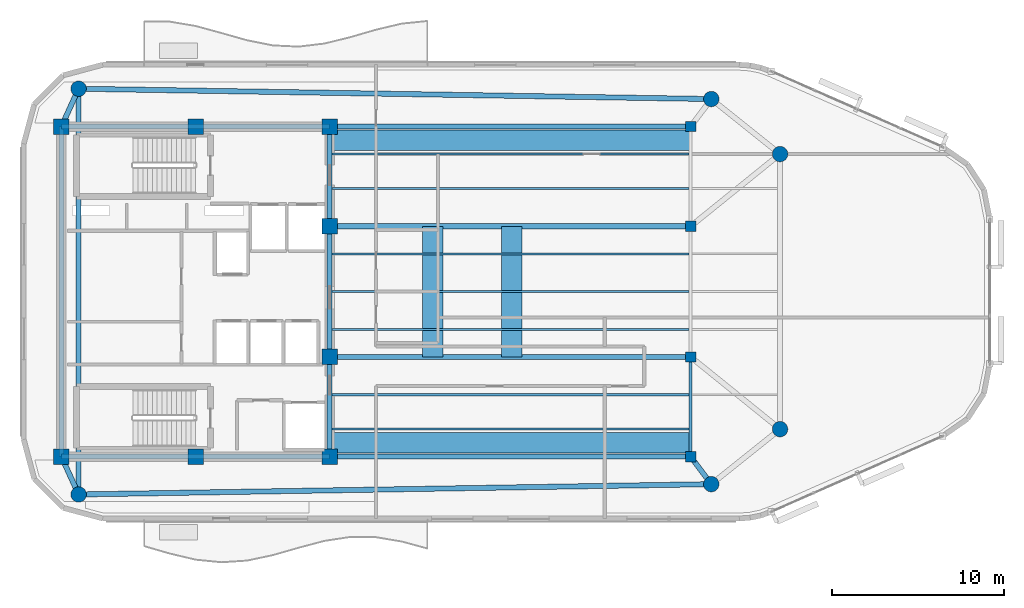
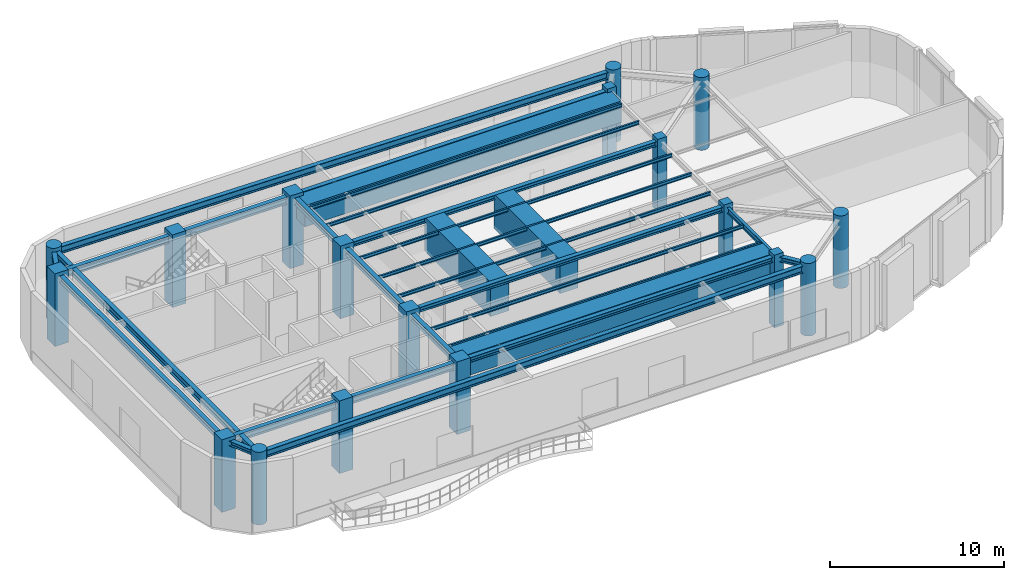
# One storey, part 1 of 12: 28 beams, 18 columns.
"""IFC4 building model written with IfcOpenShell, lengths in metres."""

from ifc_helpers import new_model, si_unit, direction, frame, origin, origin_2d, place, context, subcontext, project, spatial, rectangle, circle, i_section, extrude, material, material_profile, profile_set, type_object, element, save


model = new_model("IFC4")

# Units and contexts
model_context = context("Model", 3, precision=1e-05, world=origin(), true_north=direction((0.0, 1.0)))
body_context = subcontext(model_context, "Body", "Model", "MODEL_VIEW")
ifc_project = project(units=[si_unit("LENGTHUNIT", "METRE"), si_unit("AREAUNIT", "SQUARE_METRE"), si_unit("VOLUMEUNIT", "CUBIC_METRE"), si_unit("PLANEANGLEUNIT", "RADIAN"), si_unit("MASSUNIT", "GRAM", prefix="KILO")], contexts=[model_context])

# Site, building, storey
site_placement = place(None, origin())
site = spatial("IfcSite", under=ifc_project, at=site_placement, CompositionType="ELEMENT")
building_placement = place(site_placement, origin())
building = spatial("IfcBuilding", under=site, at=building_placement, Name="An Khanh Terracotta Commons", CompositionType="ELEMENT")
storey_placement = place(building_placement, frame((0.0, 0.0, 295.300048828125)))
storey = spatial("IfcBuildingStorey", under=building, at=storey_placement, Name="L77", CompositionType="ELEMENT", Elevation=295.300048828125)

# Columns
ifc_material_1 = material(Name="Concrete C50/60", Category="concrete")
ifc_material_profile_1 = material_profile(ifc_material_1, circle(Radius=0.449951171875, at=origin_2d()), Name="CFST900")
ifc_profile_set_1 = profile_set([ifc_material_profile_1], Name="Concrete C50/60")
column_type_1 = type_object("IfcColumnType", Name="COL-CFST900", PredefinedType="COLUMN", material=ifc_profile_set_1)
for number, where, z_axis, x_axis, name in (
    (1, (22.60009765625, 12.199951171875, 0.0), (0.0, 0.0, 1.0), (1.0, 0.0, 0.0), "L77 Perimeter CFST Mega-Column MC-01"),
    (2, (59.39990234375, 12.800048828125, 0.0), (0.0, 0.0, 1.0), (1.0, 0.0, 0.0), "L77 Perimeter CFST Mega-Column MC-02"),
    (3, (63.39990234375, 16.0, 0.0), (0.0, 0.0, 1.0), (1.0, 0.0, 0.0), "L77 Perimeter CFST Mega-Column MC-03"),
    (4, (63.39990234375, 32.0, 0.0), (0.0, 0.0, 1.0), (1.0, 0.0, 0.0), "L77 Perimeter CFST Mega-Column MC-04"),
    (5, (59.39990234375, 35.199951171875, 0.0), (0.0, 0.0, 1.0), (1.0, 0.0, 0.0), "L77 Perimeter CFST Mega-Column MC-05"),
    (6, (22.60009765625, 35.800048828125, 0.0), (0.0, 0.0, 1.0), (1.0, 0.0, 0.0), "L77 Perimeter CFST Mega-Column MC-06"),
):
    element("IfcColumn", number, at=place(storey_placement, frame(where, z_axis=z_axis, x_axis=x_axis)), inside=storey, type_object=column_type_1, Name=name, PredefinedType="COLUMN", context=body_context, shape_type="SweptSolid", body=[
        extrude(circle(Radius=0.449951171875, at=origin_2d()), origin(), (0.0, 0.0, 1.0), 5.099853515625),
    ])
ifc_material_profile_2 = material_profile(ifc_material_1, rectangle(XDim=0.60009765625, YDim=0.60009765625, at=origin_2d()), Name="RC600x600")
ifc_profile_set_2 = profile_set([ifc_material_profile_2], Name="Concrete C50/60")
column_type_2 = type_object("IfcColumnType", Name="COL-RC600x600", PredefinedType="COLUMN", material=ifc_profile_set_2)
for number, where, z_axis, x_axis, name in (
    (7, (58.199951171875, 14.39990234375, 0.0), (0.0, 0.0, 1.0), (1.0, 0.0, 0.0), "L77 Interior Frame Column TC-01"),
    (8, (58.199951171875, 20.199951171875, 0.0), (0.0, 0.0, 1.0), (1.0, 0.0, 0.0), "L77 Interior Frame Column TC-02"),
    (9, (58.199951171875, 27.800048828125, 0.0), (0.0, 0.0, 1.0), (1.0, 0.0, 0.0), "L77 Interior Frame Column TC-03"),
    (10, (58.199951171875, 33.60009765625, 0.0), (0.0, 0.0, 1.0), (1.0, 0.0, 0.0), "L77 Interior Frame Column TC-04"),
):
    element("IfcColumn", number, at=place(storey_placement, frame(where, z_axis=z_axis, x_axis=x_axis)), inside=storey, type_object=column_type_2, Name=name, PredefinedType="COLUMN", context=body_context, shape_type="SweptSolid", body=[
        extrude(rectangle(XDim=0.60009765625, YDim=0.60009765625, at=origin_2d()), origin(), (0.0, 0.0, 1.0), 5.099853515625),
    ])
ifc_material_profile_3 = material_profile(ifc_material_1, rectangle(XDim=0.89990234375, YDim=0.89990234375, at=origin_2d()), Name="RC900x900")
ifc_profile_set_3 = profile_set([ifc_material_profile_3], Name="Concrete C50/60")
column_type_3 = type_object("IfcColumnType", Name="COL-RC900x900", PredefinedType="COLUMN", material=ifc_profile_set_3)
for number, where, z_axis, x_axis, name in (
    (11, (21.60009765625, 14.39990234375, 0.0), (0.0, 0.0, 1.0), (1.0, 0.0, 0.0), "L77 Core Boundary Column CC-01"),
    (12, (29.39990234375, 14.39990234375, 0.0), (0.0, 0.0, 1.0), (1.0, 0.0, 0.0), "L77 Core Boundary Column CC-02"),
    (13, (37.199951171875, 14.39990234375, 0.0), (0.0, 0.0, 1.0), (1.0, 0.0, 0.0), "L77 Core Boundary Column CC-03"),
    (14, (37.199951171875, 20.199951171875, 0.0), (0.0, 0.0, 1.0), (1.0, 0.0, 0.0), "L77 Core Boundary Column CC-04"),
    (15, (37.199951171875, 27.800048828125, 0.0), (0.0, 0.0, 1.0), (1.0, 0.0, 0.0), "L77 Core Boundary Column CC-05"),
    (16, (37.199951171875, 33.60009765625, 0.0), (0.0, 0.0, 1.0), (1.0, 0.0, 0.0), "L77 Core Boundary Column CC-06"),
    (17, (29.39990234375, 33.60009765625, 0.0), (0.0, 0.0, 1.0), (1.0, 0.0, 0.0), "L77 Core Boundary Column CC-07"),
    (18, (21.60009765625, 33.60009765625, 0.0), (0.0, 0.0, 1.0), (1.0, 0.0, 0.0), "L77 Core Boundary Column CC-08"),
):
    element("IfcColumn", number, at=place(storey_placement, frame(where, z_axis=z_axis, x_axis=x_axis)), inside=storey, type_object=column_type_3, Name=name, PredefinedType="COLUMN", context=body_context, shape_type="SweptSolid", body=[
        extrude(rectangle(XDim=0.89990234375, YDim=0.89990234375, at=origin_2d()), origin(), (0.0, 0.0, 1.0), 5.099853515625),
    ])

# Beams
ifc_material_2 = material(Name="Steel S355J2", Category="steel")
ifc_material_profile_4 = material_profile(ifc_material_2, i_section(OverallWidth=0.300048828125, OverallDepth=0.340087890625, WebThickness=0.011962890625, FlangeThickness=0.021484375, FilletRadius=0.027099609375, at=origin_2d()), Name="HEB340")
ifc_profile_set_4 = profile_set([ifc_material_profile_4], Name="Steel S355J2")
beam_type_1 = type_object("IfcBeamType", Name="BM-HEB340", PredefinedType="BEAM", material=ifc_profile_set_4)
for number, where, z_axis, x_axis, name in (
    (19, (37.199951171875, 14.39990234375, 4.679931640625), (1.0, 0.0, 0.0), (0.0, 1.0, 0.0), "L77 East Primary Floor Girder 1"),
    (20, (37.199951171875, 20.199951171875, 4.679931640625), (1.0, 0.0, 0.0), (0.0, 1.0, 0.0), "L77 East Primary Floor Girder 2"),
    (21, (37.199951171875, 27.800048828125, 4.679931640625), (1.0, 0.0, 0.0), (0.0, 1.0, 0.0), "L77 East Primary Floor Girder 3"),
    (22, (37.199951171875, 33.60009765625, 4.679931640625), (1.0, 0.0, 0.0), (0.0, 1.0, 0.0), "L77 East Primary Floor Girder 4"),
):
    element("IfcBeam", number, at=place(storey_placement, frame(where, z_axis=z_axis, x_axis=x_axis)), inside=storey, type_object=beam_type_1, Name=name, PredefinedType="BEAM", context=body_context, shape_type="SweptSolid", body=[
        extrude(i_section(OverallWidth=0.300048828125, OverallDepth=0.340087890625, WebThickness=0.011962890625, FlangeThickness=0.021484375, FilletRadius=0.027099609375, at=origin_2d()), origin(), (0.0, 0.0, 1.0), 21.0),
    ])
beam_1_placement = place(storey_placement, frame((22.60009765625, 12.199951171875, 4.679931640625), z_axis=(-0.413810555983, 0.910363017569, 0.0), x_axis=(-0.910363017569, -0.413810555983, 0.0)))
element("IfcBeam", 23, at=beam_1_placement, inside=storey, type_object=beam_type_1, Name="L77 Mega-Column Tie Girder 1", PredefinedType="BEAM", context=body_context, shape_type="SweptSolid", body=[
    extrude(i_section(OverallWidth=0.300048828125, OverallDepth=0.340087890625, WebThickness=0.011962890625, FlangeThickness=0.021484375, FilletRadius=0.027099609375, at=origin_2d()), origin(), (0.0, 0.0, 1.0), 2.41650390625),
])
beam_2_placement = place(storey_placement, frame((59.39990234375, 12.800048828125, 4.679931640625), z_axis=(-0.600019532502, 0.799985350251, 0.0), x_axis=(-0.799985350251, -0.600019532502, 0.0)))
element("IfcBeam", 24, at=beam_2_placement, inside=storey, type_object=beam_type_1, Name="L77 Mega-Column Tie Girder 2", PredefinedType="BEAM", context=body_context, shape_type="SweptSolid", body=[
    extrude(i_section(OverallWidth=0.300048828125, OverallDepth=0.340087890625, WebThickness=0.011962890625, FlangeThickness=0.021484375, FilletRadius=0.027099609375, at=origin_2d()), origin(), (0.0, 0.0, 1.0), 1.999755859375),
])
beam_3_placement = place(storey_placement, frame((22.60009765625, 35.800048828125, 4.679931640625), z_axis=(-0.413810555983, -0.910363017569, 0.0), x_axis=(0.910363017569, -0.413810555983, 0.0)))
element("IfcBeam", 25, at=beam_3_placement, inside=storey, type_object=beam_type_1, Name="L77 Mega-Column Tie Girder 6", PredefinedType="BEAM", context=body_context, shape_type="SweptSolid", body=[
    extrude(i_section(OverallWidth=0.300048828125, OverallDepth=0.340087890625, WebThickness=0.011962890625, FlangeThickness=0.021484375, FilletRadius=0.027099609375, at=origin_2d()), origin(), (0.0, 0.0, 1.0), 2.41650390625),
])
ifc_material_profile_5 = material_profile(ifc_material_2, i_section(OverallWidth=0.300048828125, OverallDepth=0.449951171875, WebThickness=0.013916015625, FlangeThickness=0.02587890625, FilletRadius=0.027099609375, at=origin_2d()), Name="HEB450")
ifc_profile_set_5 = profile_set([ifc_material_profile_5], Name="Steel S355J2")
beam_type_2 = type_object("IfcBeamType", Name="BM-HEB450", PredefinedType="BEAM", material=ifc_profile_set_5)
beam_4_placement = place(storey_placement, frame((37.199951171875, 14.39990234375, 4.625), z_axis=(0.0, 1.0, 0.0), x_axis=(-1.0, 0.0, 0.0)))
element("IfcBeam", 26, at=beam_4_placement, inside=storey, type_object=beam_type_2, Name="L77 Core East Coupling Girder 1", PredefinedType="BEAM", context=body_context, shape_type="SweptSolid", body=[
    extrude(i_section(OverallWidth=0.300048828125, OverallDepth=0.449951171875, WebThickness=0.013916015625, FlangeThickness=0.02587890625, FilletRadius=0.027099609375, at=origin_2d()), origin(), (0.0, 0.0, 1.0), 5.800048828125),
])
beam_5_placement = place(storey_placement, frame((37.199951171875, 20.199951171875, 4.625), z_axis=(0.0, 1.0, 0.0), x_axis=(-1.0, 0.0, 0.0)))
element("IfcBeam", 27, at=beam_5_placement, inside=storey, type_object=beam_type_2, Name="L77 Core East Coupling Girder 2", PredefinedType="BEAM", context=body_context, shape_type="SweptSolid", body=[
    extrude(i_section(OverallWidth=0.300048828125, OverallDepth=0.449951171875, WebThickness=0.013916015625, FlangeThickness=0.02587890625, FilletRadius=0.027099609375, at=origin_2d()), origin(), (0.0, 0.0, 1.0), 7.60009765625),
])
beam_6_placement = place(storey_placement, frame((37.199951171875, 27.800048828125, 4.625), z_axis=(0.0, 1.0, 0.0), x_axis=(-1.0, 0.0, 0.0)))
element("IfcBeam", 28, at=beam_6_placement, inside=storey, type_object=beam_type_2, Name="L77 Core East Coupling Girder 3", PredefinedType="BEAM", context=body_context, shape_type="SweptSolid", body=[
    extrude(i_section(OverallWidth=0.300048828125, OverallDepth=0.449951171875, WebThickness=0.013916015625, FlangeThickness=0.02587890625, FilletRadius=0.027099609375, at=origin_2d()), origin(), (0.0, 0.0, 1.0), 5.800048828125),
])
beam_7_placement = place(storey_placement, frame((21.60009765625, 14.39990234375, 4.625), z_axis=(0.0, 1.0, 0.0), x_axis=(-1.0, 0.0, 0.0)))
element("IfcBeam", 29, at=beam_7_placement, inside=storey, type_object=beam_type_2, Name="L77 Core West Coupling Girder", PredefinedType="BEAM", context=body_context, shape_type="SweptSolid", body=[
    extrude(i_section(OverallWidth=0.300048828125, OverallDepth=0.449951171875, WebThickness=0.013916015625, FlangeThickness=0.02587890625, FilletRadius=0.027099609375, at=origin_2d()), origin(), (0.0, 0.0, 1.0), 19.2001953125),
])
ifc_material_profile_6 = material_profile(ifc_material_2, i_section(OverallWidth=0.300048828125, OverallDepth=0.5, WebThickness=0.014404296875, FlangeThickness=0.028076171875, FilletRadius=0.027099609375, at=origin_2d()), Name="HEB500")
ifc_profile_set_6 = profile_set([ifc_material_profile_6], Name="Steel S355J2")
beam_type_3 = type_object("IfcBeamType", Name="BM-HEB500", PredefinedType="BEAM", material=ifc_profile_set_6)
for number, where, z_axis, x_axis, name in (
    (30, (21.60009765625, 14.39990234375, 4.599853515625), (1.0, 0.0, 0.0), (0.0, 1.0, 0.0), "L77 Core South Coupling Girder"),
    (31, (21.60009765625, 33.60009765625, 4.599853515625), (1.0, 0.0, 0.0), (0.0, 1.0, 0.0), "L77 Core North Coupling Girder"),
):
    element("IfcBeam", number, at=place(storey_placement, frame(where, z_axis=z_axis, x_axis=x_axis)), inside=storey, type_object=beam_type_3, Name=name, PredefinedType="BEAM", context=body_context, shape_type="SweptSolid", body=[
        extrude(i_section(OverallWidth=0.300048828125, OverallDepth=0.5, WebThickness=0.014404296875, FlangeThickness=0.028076171875, FilletRadius=0.027099609375, at=origin_2d()), origin(), (0.0, 0.0, 1.0), 15.599853515625),
    ])
for number, where, z_axis, x_axis, name in (
    (32, (22.60009765625, 12.199951171875, 4.599853515625), (0.999867065951, 0.01630492031, 0.0), (-0.01630492031, 0.999867065951, 0.0), "L77 Perimeter Ring Spandrel 1"),
    (33, (59.39990234375, 35.199951171875, 4.599853515625), (-0.999867065951, 0.01630492031, 0.0), (-0.01630492031, -0.999867065951, 0.0), "L77 Perimeter Ring Spandrel 5"),
):
    element("IfcBeam", number, at=place(storey_placement, frame(where, z_axis=z_axis, x_axis=x_axis)), inside=storey, type_object=beam_type_3, Name=name, PredefinedType="BEAM", context=body_context, shape_type="SweptSolid", body=[
        extrude(i_section(OverallWidth=0.300048828125, OverallDepth=0.5, WebThickness=0.014404296875, FlangeThickness=0.028076171875, FilletRadius=0.027099609375, at=origin_2d()), origin(), (0.0, 0.0, 1.0), 36.8046875),
    ])
beam_8_placement = place(storey_placement, frame((22.60009765625, 35.800048828125, 4.599853515625), z_axis=(0.0, -1.0, 0.0), x_axis=(1.0, 0.0, 0.0)))
element("IfcBeam", 34, at=beam_8_placement, inside=storey, type_object=beam_type_3, Name="L77 Perimeter Ring Spandrel 6", PredefinedType="BEAM", context=body_context, shape_type="SweptSolid", body=[
    extrude(i_section(OverallWidth=0.300048828125, OverallDepth=0.5, WebThickness=0.014404296875, FlangeThickness=0.028076171875, FilletRadius=0.027099609375, at=origin_2d()), origin(), (0.0, 0.0, 1.0), 23.60009765625),
])
ifc_material_profile_7 = material_profile(ifc_material_2, i_section(OverallWidth=0.1201171875, OverallDepth=0.239990234375, WebThickness=0.006103515625, FlangeThickness=0.009765625, FilletRadius=0.014892578125, at=origin_2d()), Name="IPE240")
ifc_profile_set_7 = profile_set([ifc_material_profile_7], Name="Steel S355J2")
beam_type_4 = type_object("IfcBeamType", Name="BM-IPE240", PredefinedType="JOIST", material=ifc_profile_set_7)
for number, where, z_axis, x_axis, name in (
    (35, (37.199951171875, 16.0, 4.72998046875), (1.0, 0.0, 0.0), (0.0, 1.0, 0.0), "L77 Inboard Composite Joist 1"),
    (36, (37.199951171875, 18.0, 4.72998046875), (1.0, 0.0, 0.0), (0.0, 1.0, 0.0), "L77 Inboard Composite Joist 2"),
    (37, (37.199951171875, 21.800048828125, 4.72998046875), (1.0, 0.0, 0.0), (0.0, 1.0, 0.0), "L77 Inboard Composite Joist 3"),
    (38, (37.199951171875, 24.0, 4.72998046875), (1.0, 0.0, 0.0), (0.0, 1.0, 0.0), "L77 Inboard Composite Joist 4"),
    (39, (37.199951171875, 26.199951171875, 4.72998046875), (1.0, 0.0, 0.0), (0.0, 1.0, 0.0), "L77 Inboard Composite Joist 5"),
    (40, (37.199951171875, 30.0, 4.72998046875), (1.0, 0.0, 0.0), (0.0, 1.0, 0.0), "L77 Inboard Composite Joist 6"),
    (41, (37.199951171875, 32.0, 4.72998046875), (1.0, 0.0, 0.0), (0.0, 1.0, 0.0), "L77 Inboard Composite Joist 7"),
):
    element("IfcBeam", number, at=place(storey_placement, frame(where, z_axis=z_axis, x_axis=x_axis)), inside=storey, type_object=beam_type_4, Name=name, PredefinedType="JOIST", context=body_context, shape_type="SweptSolid", body=[
        extrude(i_section(OverallWidth=0.1201171875, OverallDepth=0.239990234375, WebThickness=0.006103515625, FlangeThickness=0.009765625, FilletRadius=0.014892578125, at=origin_2d()), origin(), (0.0, 0.0, 1.0), 20.91015625),
    ])
ifc_material_profile_8 = material_profile(ifc_material_2, i_section(OverallWidth=0.179931640625, OverallDepth=0.39990234375, WebThickness=0.008544921875, FlangeThickness=0.013427734375, FilletRadius=0.02099609375, at=origin_2d()), Name="IPE400")
ifc_profile_set_8 = profile_set([ifc_material_profile_8], Name="Steel S355J2")
beam_type_5 = type_object("IfcBeamType", Name="BM-IPE400", PredefinedType="JOIST", material=ifc_profile_set_8)
beam_9_placement = place(storey_placement, frame((58.199951171875, 14.550048828125, 4.64990234375), z_axis=(0.0, 1.0, 0.0), x_axis=(-1.0, 0.0, 0.0)))
element("IfcBeam", 42, at=beam_9_placement, inside=storey, type_object=beam_type_5, Name="L77 East Spine Girder 1", PredefinedType="JOIST", context=body_context, shape_type="SweptSolid", body=[
    extrude(i_section(OverallWidth=0.179931640625, OverallDepth=0.39990234375, WebThickness=0.008544921875, FlangeThickness=0.013427734375, FilletRadius=0.02099609375, at=origin_2d()), origin(), (0.0, 0.0, 1.0), 5.5),
])
ifc_material_3 = material(Name="Concrete C60/75", Category="concrete")
ifc_material_profile_9 = material_profile(ifc_material_3, rectangle(XDim=1.199951171875, YDim=1.5, at=origin_2d()), Name="RCB1200x1500")
ifc_profile_set_9 = profile_set([ifc_material_profile_9], Name="Concrete C60/75")
beam_type_6 = type_object("IfcBeamType", Name="BM-RCB1200x1500", PredefinedType="BEAM", material=ifc_profile_set_9)
for number, where, z_axis, x_axis, name in (
    (43, (37.199951171875, 15.199951171875, 4.099853515625), (1.0, 0.0, 0.0), (0.0, 1.0, 0.0), "Crown Ring South Support Transfer Girder"),
    (44, (37.199951171875, 32.800048828125, 4.099853515625), (1.0, 0.0, 0.0), (0.0, 1.0, 0.0), "Crown Ring North Support Transfer Girder"),
):
    element("IfcBeam", number, at=place(storey_placement, frame(where, z_axis=z_axis, x_axis=x_axis)), inside=storey, type_object=beam_type_6, Name=name, PredefinedType="BEAM", context=body_context, shape_type="SweptSolid", body=[
        extrude(rectangle(XDim=1.199951171875, YDim=1.5, at=origin_2d()), origin(), (0.0, 0.0, 1.0), 21.0),
    ])
ifc_material_profile_10 = material_profile(ifc_material_3, rectangle(XDim=1.199951171875, YDim=2.39990234375, at=origin_2d()), Name="RCB1200x2400")
ifc_profile_set_10 = profile_set([ifc_material_profile_10], Name="Concrete C60/75")
beam_type_7 = type_object("IfcBeamType", Name="BM-RCB1200x2400", PredefinedType="BEAM", material=ifc_profile_set_10)
for number, where, z_axis, x_axis, name in (
    (45, (43.199951171875, 20.199951171875, 3.64990234375), (0.0, 1.0, 0.0), (-1.0, 0.0, 0.0), "Pendulum TMD Plinth Cross-Girder West"),
    (46, (47.800048828125, 20.199951171875, 3.64990234375), (0.0, 1.0, 0.0), (-1.0, 0.0, 0.0), "Pendulum TMD Plinth Cross-Girder East"),
):
    element("IfcBeam", number, at=place(storey_placement, frame(where, z_axis=z_axis, x_axis=x_axis)), inside=storey, type_object=beam_type_7, Name=name, PredefinedType="BEAM", context=body_context, shape_type="SweptSolid", body=[
        extrude(rectangle(XDim=1.199951171875, YDim=2.39990234375, at=origin_2d()), origin(), (0.0, 0.0, 1.0), 7.60009765625),
    ])

save(model, "model.ifc")
